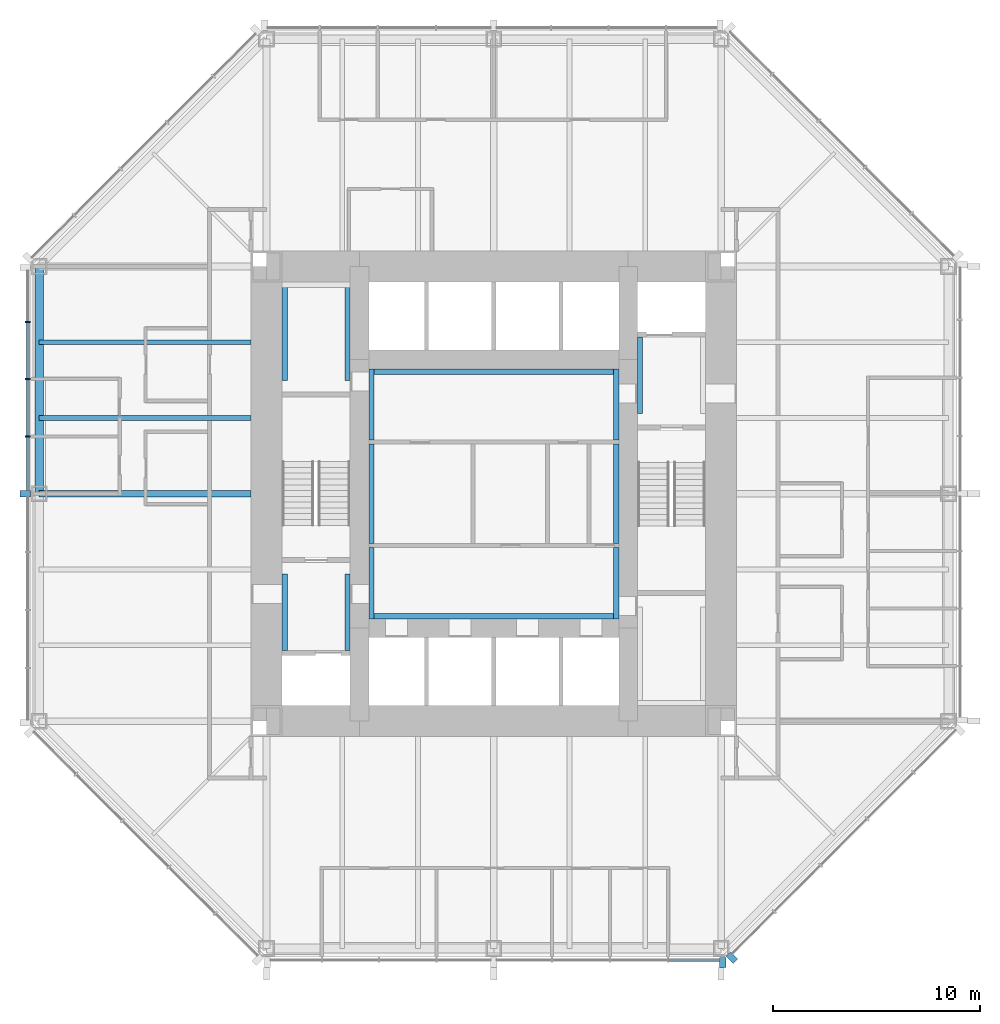
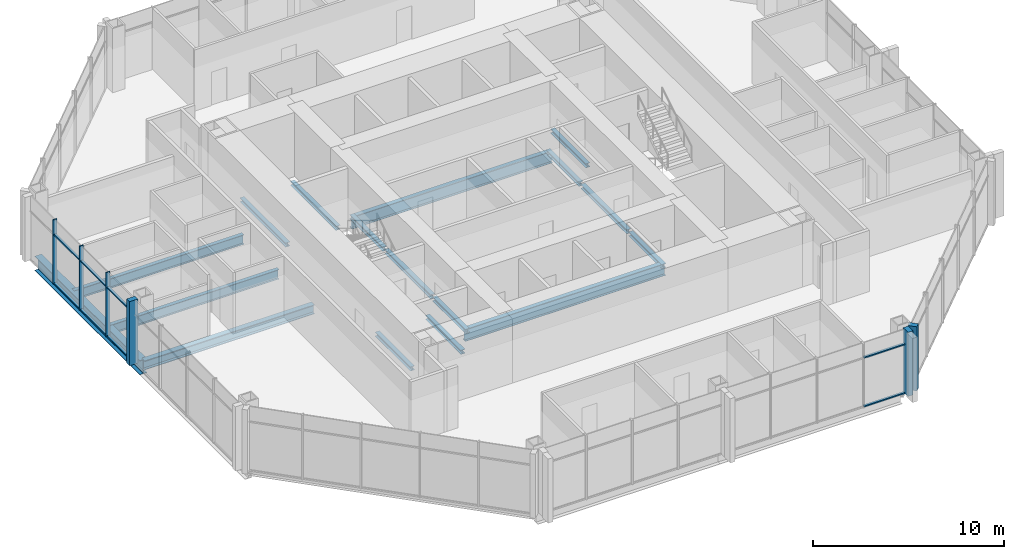
# One storey, part 3 of 12: 17 beams, 14 members, 3 elements without a shape of their own.
"""IFC4 building model written with IfcOpenShell, lengths in metres."""

from ifc_helpers import new_model, si_unit, direction, frame, origin, origin_2d, place, context, subcontext, project, spatial, rectangle, i_section, extrude, material, material_profile, profile_set, type_object, element, aggregate, save


model = new_model("IFC4")

# Units and contexts
model_context = context("Model", 3, precision=1e-05, world=origin(), true_north=direction((0.0, 1.0)))
body_context = subcontext(model_context, "Body", "Model", "MODEL_VIEW")
ifc_project = project(units=[si_unit("LENGTHUNIT", "METRE"), si_unit("AREAUNIT", "SQUARE_METRE"), si_unit("VOLUMEUNIT", "CUBIC_METRE"), si_unit("PLANEANGLEUNIT", "RADIAN"), si_unit("MASSUNIT", "GRAM", prefix="KILO")], contexts=[model_context])

# Site, building, storey
site_placement = place(None, origin())
site = spatial("IfcSite", under=ifc_project, at=site_placement, CompositionType="ELEMENT")
building_placement = place(site_placement, origin())
building = spatial("IfcBuilding", under=site, at=building_placement, Name="Trevanion Tower", CompositionType="ELEMENT")
storey_placement = place(building_placement, frame((0.0, 0.0, 141.800048828125)))
storey = spatial("IfcBuildingStorey", under=building, at=storey_placement, Name="L33", CompositionType="ELEMENT", Elevation=141.800048828125)

# Beams
ifc_material_1 = material(Name="Steel ASTM A992 Grade 50", Category="steel")
ifc_material_profile_1 = material_profile(ifc_material_1, i_section(OverallWidth=0.22900390625, OverallDepth=0.612060546875, WebThickness=0.011962890625, FlangeThickness=0.01953125, at=origin_2d()), Name="W24X84")
ifc_profile_set_1 = profile_set([ifc_material_profile_1], Name="Steel ASTM A992 Grade 50")
beam_type_1 = type_object("IfcBeamType", Name="B7 W24X84", PredefinedType="BEAM", material=ifc_profile_set_1)
for number, where, z_axis, x_axis, name in (
    (1, (-11.75, 7.333251953125, -0.49609375), (-1.0, 0.0, 0.0), (0.0, -1.0, 0.0), "B7 L33"),
    (2, (-11.75, 3.666748046875, -0.49609375), (-1.0, 0.0, 0.0), (0.0, -1.0, 0.0), "B7 L33"),
):
    element("IfcBeam", number, at=place(storey_placement, frame(where, z_axis=z_axis, x_axis=x_axis)), inside=storey, type_object=beam_type_1, Name=name, PredefinedType="BEAM", context=body_context, shape_type="SweptSolid", body=[
        extrude(i_section(OverallWidth=0.22900390625, OverallDepth=0.612060546875, WebThickness=0.011962890625, FlangeThickness=0.01953125, at=origin_2d()), origin(), (0.0, 0.0, 1.0), 10.25),
    ])

# Curtain wall, members
ifc_material_2 = material(Name="Aluminium and glass", Category="aluminium")
curtain_wall_type = type_object("IfcCurtainWallType", Name="CW2 curtain wall", PredefinedType="USERDEFINED", material=ifc_material_2)
curtain_wall_1_placement = place(storey_placement, origin())
curtain_wall_1 = element("IfcCurtainWall", 3, at=curtain_wall_1_placement, inside=storey, type_object=curtain_wall_type, Name="CW2 L33 4", ObjectType="UNITISED CURTAIN WALL", PredefinedType="USERDEFINED")
ifc_material_3 = material(Name="Aluminium extrusion, anodised bronze", Category="aluminium")
ifc_material_profile_2 = material_profile(ifc_material_3, rectangle(XDim=0.074951171875, YDim=0.25, at=origin_2d()), Name="CW2 mullion")
ifc_profile_set_2 = profile_set([ifc_material_profile_2], Name="Aluminium extrusion, anodised bronze")
member_type_1 = type_object("IfcMemberType", Name="CW2 mullion", PredefinedType="MULLION", material=ifc_profile_set_2)
member_1_placement = place(storey_placement, frame((-22.550048828125, 8.323486328125, -0.18994140625), z_axis=(0.0, 0.0, 1.0), x_axis=(0.0, -1.0, 0.0)))
member_1 = element("IfcMember", 4, at=member_1_placement, type_object=member_type_1, Name="CW2 mullion 2", PredefinedType="MULLION", context=body_context, shape_type="SweptSolid", body=[
    extrude(rectangle(XDim=0.074951171875, YDim=0.25, at=origin_2d()), origin(), (0.0, 0.0, 1.0), 4.099853515625),
])
member_2_placement = place(storey_placement, frame((-22.550048828125, 5.548828125, -0.18994140625), z_axis=(0.0, 0.0, 1.0), x_axis=(0.0, -1.0, 0.0)))
member_2 = element("IfcMember", 5, at=member_2_placement, type_object=member_type_1, Name="CW2 mullion 3", PredefinedType="MULLION", context=body_context, shape_type="SweptSolid", body=[
    extrude(rectangle(XDim=0.074951171875, YDim=0.25, at=origin_2d()), origin(), (0.0, 0.0, 1.0), 4.099853515625),
])
member_3_placement = place(storey_placement, frame((-22.550048828125, 2.7744140625, -0.18994140625), z_axis=(0.0, 0.0, 1.0), x_axis=(0.0, -1.0, 0.0)))
member_3 = element("IfcMember", 6, at=member_3_placement, type_object=member_type_1, Name="CW2 mullion 4", PredefinedType="MULLION", context=body_context, shape_type="SweptSolid", body=[
    extrude(rectangle(XDim=0.074951171875, YDim=0.25, at=origin_2d()), origin(), (0.0, 0.0, 1.0), 4.099853515625),
])
ifc_material_4 = material(Name="Aluminium extrusion, anodised bronze", Category="aluminium")
ifc_material_profile_3 = material_profile(ifc_material_4, rectangle(XDim=0.300048828125, YDim=0.5, at=origin_2d()), Name="CW2 pier mullion")
ifc_profile_set_3 = profile_set([ifc_material_profile_3], Name="Aluminium extrusion, anodised bronze")
member_type_2 = type_object("IfcMemberType", Name="CW2 pier mullion", PredefinedType="MULLION", material=ifc_profile_set_3)
member_4_placement = place(storey_placement, frame((-22.675048828125, 0.0, -0.18994140625), z_axis=(0.0, 0.0, 1.0), x_axis=(0.0, -1.0, 0.0)))
member_4 = element("IfcMember", 7, at=member_4_placement, type_object=member_type_2, Name="CW2 pier mullion 5", PredefinedType="MULLION", context=body_context, shape_type="SweptSolid", body=[
    extrude(rectangle(XDim=0.300048828125, YDim=0.5, at=origin_2d()), origin(), (0.0, 0.0, 1.0), 4.099853515625),
])

# Curtain wall, member
curtain_wall_2_placement = place(storey_placement, origin())
curtain_wall_2 = element("IfcCurtainWall", 8, at=curtain_wall_2_placement, inside=storey, type_object=curtain_wall_type, Name="CW2 L33 6", ObjectType="UNITISED CURTAIN WALL", PredefinedType="USERDEFINED")
member_5_placement = place(storey_placement, frame((11.077880859375, -22.675048828125, -0.18994140625), z_axis=(0.0, 0.0, 1.0), x_axis=(1.0, 0.0, 0.0)))
member_5 = element("IfcMember", 9, at=member_5_placement, type_object=member_type_2, Name="CW2 pier mullion 9", PredefinedType="MULLION", context=body_context, shape_type="SweptSolid", body=[
    extrude(rectangle(XDim=0.300048828125, YDim=0.5, at=origin_2d()), origin(), (0.0, 0.0, 1.0), 4.099853515625),
])

curtain_wall_3_placement = place(storey_placement, origin())
curtain_wall_3 = element("IfcCurtainWall", 10, at=curtain_wall_3_placement, inside=storey, type_object=curtain_wall_type, Name="CW2 L33 7", ObjectType="UNITISED CURTAIN WALL", PredefinedType="USERDEFINED")
member_6_placement = place(storey_placement, frame((11.51416015625, -22.4404296875, -0.18994140625), z_axis=(0.0, 0.0, 1.0), x_axis=(0.707106781187, 0.707106781187, 0.0)))
member_6 = element("IfcMember", 11, at=member_6_placement, type_object=member_type_2, Name="CW2 pier mullion 1", PredefinedType="MULLION", context=body_context, shape_type="SweptSolid", body=[
    extrude(rectangle(XDim=0.300048828125, YDim=0.5, at=origin_2d()), origin(), (0.0, 0.0, 1.0), 4.099853515625),
])
aggregate(curtain_wall_3, [member_6])

# Member
ifc_material_5 = material(Name="Aluminium extrusion, anodised bronze", Category="aluminium")
ifc_material_profile_4 = material_profile(ifc_material_5, rectangle(XDim=0.14990234375, YDim=0.074951171875, at=origin_2d()), Name="CW2 transom")
ifc_profile_set_4 = profile_set([ifc_material_profile_4], Name="Aluminium extrusion, anodised bronze")
member_type_3 = type_object("IfcMemberType", Name="CW2 transom", PredefinedType="USERDEFINED", material=ifc_profile_set_4)
member_7_placement = place(storey_placement, frame((-22.550048828125, 8.285888671875, -0.152587890625), z_axis=(0.0, -1.0, 0.0), x_axis=(1.0, 0.0, 0.0)))
member_7 = element("IfcMember", 12, at=member_7_placement, type_object=member_type_3, Name="CW2 transom 2.1", ObjectType="TRANSOM", PredefinedType="USERDEFINED", context=body_context, shape_type="SweptSolid", body=[
    extrude(rectangle(XDim=0.14990234375, YDim=0.074951171875, at=origin_2d()), origin(), (0.0, 0.0, 1.0), 2.699462890625),
])

member_8_placement = place(storey_placement, frame((-22.550048828125, 8.285888671875, 2.9599609375), z_axis=(0.0, -1.0, 0.0), x_axis=(1.0, 0.0, 0.0)))
member_8 = element("IfcMember", 13, at=member_8_placement, type_object=member_type_3, Name="CW2 transom 2.2", ObjectType="TRANSOM", PredefinedType="USERDEFINED", context=body_context, shape_type="SweptSolid", body=[
    extrude(rectangle(XDim=0.14990234375, YDim=0.074951171875, at=origin_2d()), origin(), (0.0, 0.0, 1.0), 2.699462890625),
])

member_9_placement = place(storey_placement, frame((-22.550048828125, 5.511474609375, -0.152587890625), z_axis=(0.0, -1.0, 0.0), x_axis=(1.0, 0.0, 0.0)))
member_9 = element("IfcMember", 14, at=member_9_placement, type_object=member_type_3, Name="CW2 transom 3.1", ObjectType="TRANSOM", PredefinedType="USERDEFINED", context=body_context, shape_type="SweptSolid", body=[
    extrude(rectangle(XDim=0.14990234375, YDim=0.074951171875, at=origin_2d()), origin(), (0.0, 0.0, 1.0), 2.699462890625),
])

member_10_placement = place(storey_placement, frame((-22.550048828125, 5.511474609375, 2.9599609375), z_axis=(0.0, -1.0, 0.0), x_axis=(1.0, 0.0, 0.0)))
member_10 = element("IfcMember", 15, at=member_10_placement, type_object=member_type_3, Name="CW2 transom 3.2", ObjectType="TRANSOM", PredefinedType="USERDEFINED", context=body_context, shape_type="SweptSolid", body=[
    extrude(rectangle(XDim=0.14990234375, YDim=0.074951171875, at=origin_2d()), origin(), (0.0, 0.0, 1.0), 2.699462890625),
])

member_11_placement = place(storey_placement, frame((-22.550048828125, 2.737060546875, -0.152587890625), z_axis=(0.0, -1.0, 0.0), x_axis=(1.0, 0.0, 0.0)))
member_11 = element("IfcMember", 16, at=member_11_placement, type_object=member_type_3, Name="CW2 transom 4.1", ObjectType="TRANSOM", PredefinedType="USERDEFINED", context=body_context, shape_type="SweptSolid", body=[
    extrude(rectangle(XDim=0.14990234375, YDim=0.074951171875, at=origin_2d()), origin(), (0.0, 0.0, 1.0), 2.587158203125),
])

member_12_placement = place(storey_placement, frame((-22.550048828125, 2.737060546875, 2.9599609375), z_axis=(0.0, -1.0, 0.0), x_axis=(1.0, 0.0, 0.0)))
member_12 = element("IfcMember", 17, at=member_12_placement, type_object=member_type_3, Name="CW2 transom 4.2", ObjectType="TRANSOM", PredefinedType="USERDEFINED", context=body_context, shape_type="SweptSolid", body=[
    extrude(rectangle(XDim=0.14990234375, YDim=0.074951171875, at=origin_2d()), origin(), (0.0, 0.0, 1.0), 2.587158203125),
])

aggregate(curtain_wall_1, [member_1, member_2, member_3, member_4, member_7, member_8, member_9, member_10, member_11, member_12])

member_13_placement = place(storey_placement, frame((8.45849609375, -22.550048828125, -0.152587890625), z_axis=(1.0, 0.0, 0.0), x_axis=(0.0, 1.0, 0.0)))
member_13 = element("IfcMember", 18, at=member_13_placement, type_object=member_type_3, Name="CW2 transom 8.1", ObjectType="TRANSOM", PredefinedType="USERDEFINED", context=body_context, shape_type="SweptSolid", body=[
    extrude(rectangle(XDim=0.14990234375, YDim=0.074951171875, at=origin_2d()), origin(), (0.0, 0.0, 1.0), 2.46923828125),
])

member_14_placement = place(storey_placement, frame((8.45849609375, -22.550048828125, 2.9599609375), z_axis=(1.0, 0.0, 0.0), x_axis=(0.0, 1.0, 0.0)))
member_14 = element("IfcMember", 19, at=member_14_placement, type_object=member_type_3, Name="CW2 transom 8.2", ObjectType="TRANSOM", PredefinedType="USERDEFINED", context=body_context, shape_type="SweptSolid", body=[
    extrude(rectangle(XDim=0.14990234375, YDim=0.074951171875, at=origin_2d()), origin(), (0.0, 0.0, 1.0), 2.46923828125),
])

aggregate(curtain_wall_2, [member_5, member_13, member_14])

# Beams
ifc_material_6 = material(Name="Steel ASTM A992 Grade 50", Category="steel")
ifc_material_profile_5 = material_profile(ifc_material_6, i_section(OverallWidth=0.320068359375, OverallDepth=0.584228515625, WebThickness=0.023193359375, FlangeThickness=0.04150390625, at=origin_2d()), Name="W21X201")
ifc_profile_set_5 = profile_set([ifc_material_profile_5], Name="Steel ASTM A992 Grade 50")
beam_type_2 = type_object("IfcBeamType", Name="G4 W21X201", PredefinedType="BEAM", material=ifc_profile_set_5)
beam_1_placement = place(storey_placement, frame((-11.75, 0.0, -0.482177734375), z_axis=(-1.0, 0.0, 0.0), x_axis=(0.0, -1.0, 0.0)))
element("IfcBeam", 20, at=beam_1_placement, inside=storey, type_object=beam_type_2, Name="G4 L33", PredefinedType="BEAM", context=body_context, shape_type="SweptSolid", body=[
    extrude(i_section(OverallWidth=0.320068359375, OverallDepth=0.584228515625, WebThickness=0.023193359375, FlangeThickness=0.04150390625, at=origin_2d()), origin(), (0.0, 0.0, 1.0), 10.25),
])
ifc_material_7 = material(Name="Steel ASTM A992 Grade 50", Category="steel")
ifc_material_profile_6 = material_profile(ifc_material_7, i_section(OverallWidth=0.256591796875, OverallDepth=0.26416015625, WebThickness=0.011962890625, FlangeThickness=0.01953125, at=origin_2d()), Name="W10X68")
ifc_profile_set_6 = profile_set([ifc_material_profile_6], Name="Steel ASTM A992 Grade 50")
beam_type_3 = type_object("IfcBeamType", Name="LB1 W10X68", PredefinedType="BEAM", material=ifc_profile_set_6)
for number, where, z_axis, x_axis, name in (
    (21, (-5.921630859375, 2.60009765625, -0.33203125), (0.0, 1.0, 0.0), (-1.0, 0.0, 0.0), "LB1 L33"),
    (22, (5.921630859375, 2.60009765625, -0.33203125), (0.0, 1.0, 0.0), (-1.0, 0.0, 0.0), "LB1 L33"),
    (23, (-5.921630859375, -6.050048828125, -0.33203125), (0.0, 1.0, 0.0), (-1.0, 0.0, 0.0), "LB1 L33"),
    (24, (5.921630859375, -6.050048828125, -0.33203125), (0.0, 1.0, 0.0), (-1.0, 0.0, 0.0), "LB1 L33"),
):
    element("IfcBeam", number, at=place(storey_placement, frame(where, z_axis=z_axis, x_axis=x_axis)), inside=storey, type_object=beam_type_3, Name=name, PredefinedType="BEAM", context=body_context, shape_type="SweptSolid", body=[
        extrude(i_section(OverallWidth=0.256591796875, OverallDepth=0.26416015625, WebThickness=0.011962890625, FlangeThickness=0.01953125, at=origin_2d()), origin(), (0.0, 0.0, 1.0), 3.449951171875),
    ])
for number, where, z_axis, x_axis, name in (
    (25, (7.078369140625, 3.875, -0.33203125), (0.0, 1.0, 0.0), (-1.0, 0.0, 0.0), "LB1 L33"),
    (26, (-10.12158203125, -7.574951171875, -0.33203125), (0.0, 1.0, 0.0), (-1.0, 0.0, 0.0), "LB1 L33"),
    (27, (-7.078369140625, -7.574951171875, -0.33203125), (0.0, 1.0, 0.0), (-1.0, 0.0, 0.0), "LB1 L33"),
):
    element("IfcBeam", number, at=place(storey_placement, frame(where, z_axis=z_axis, x_axis=x_axis)), inside=storey, type_object=beam_type_3, Name=name, PredefinedType="BEAM", context=body_context, shape_type="SweptSolid", body=[
        extrude(i_section(OverallWidth=0.256591796875, OverallDepth=0.26416015625, WebThickness=0.011962890625, FlangeThickness=0.01953125, at=origin_2d()), origin(), (0.0, 0.0, 1.0), 3.699951171875),
    ])
for number, where, z_axis, x_axis, name in (
    (28, (-10.12158203125, 5.47509765625, -0.33203125), (0.0, 1.0, 0.0), (-1.0, 0.0, 0.0), "LB1 L33"),
    (29, (-7.078369140625, 5.47509765625, -0.33203125), (0.0, 1.0, 0.0), (-1.0, 0.0, 0.0), "LB1 L33"),
):
    element("IfcBeam", number, at=place(storey_placement, frame(where, z_axis=z_axis, x_axis=x_axis)), inside=storey, type_object=beam_type_3, Name=name, PredefinedType="BEAM", context=body_context, shape_type="SweptSolid", body=[
        extrude(i_section(OverallWidth=0.256591796875, OverallDepth=0.26416015625, WebThickness=0.011962890625, FlangeThickness=0.01953125, at=origin_2d()), origin(), (0.0, 0.0, 1.0), 4.77490234375),
    ])
for number, where, z_axis, x_axis, name in (
    (30, (-5.921630859375, -2.39990234375, -0.33203125), (0.0, 1.0, 0.0), (-1.0, 0.0, 0.0), "LB1 L33"),
    (31, (5.921630859375, -2.39990234375, -0.33203125), (0.0, 1.0, 0.0), (-1.0, 0.0, 0.0), "LB1 L33"),
):
    element("IfcBeam", number, at=place(storey_placement, frame(where, z_axis=z_axis, x_axis=x_axis)), inside=storey, type_object=beam_type_3, Name=name, PredefinedType="BEAM", context=body_context, shape_type="SweptSolid", body=[
        extrude(i_section(OverallWidth=0.256591796875, OverallDepth=0.26416015625, WebThickness=0.011962890625, FlangeThickness=0.01953125, at=origin_2d()), origin(), (0.0, 0.0, 1.0), 4.7998046875),
    ])
ifc_material_8 = material(Name="Steel ASTM A992 Grade 50", Category="steel")
ifc_material_profile_7 = material_profile(ifc_material_8, i_section(OverallWidth=0.2666015625, OverallDepth=0.76953125, WebThickness=0.015625, FlangeThickness=0.025390625, at=origin_2d()), Name="W30X132")
ifc_profile_set_7 = profile_set([ifc_material_profile_7], Name="Steel ASTM A992 Grade 50")
beam_type_4 = type_object("IfcBeamType", Name="LB3 W30X132", PredefinedType="BEAM", material=ifc_profile_set_7)
for number, where, z_axis, x_axis, name in (
    (32, (-6.050048828125, 5.91650390625, -0.5849609375), (1.0, 0.0, 0.0), (0.0, 1.0, 0.0), "LB3 L33"),
    (33, (-6.050048828125, -5.91650390625, -0.5849609375), (1.0, 0.0, 0.0), (0.0, 1.0, 0.0), "LB3 L33"),
):
    element("IfcBeam", number, at=place(storey_placement, frame(where, z_axis=z_axis, x_axis=x_axis)), inside=storey, type_object=beam_type_4, Name=name, PredefinedType="BEAM", context=body_context, shape_type="SweptSolid", body=[
        extrude(i_section(OverallWidth=0.2666015625, OverallDepth=0.76953125, WebThickness=0.015625, FlangeThickness=0.025390625, at=origin_2d()), origin(), (0.0, 0.0, 1.0), 12.10009765625),
    ])
ifc_material_9 = material(Name="Steel ASTM A992 Grade 50", Category="steel")
ifc_material_profile_8 = material_profile(ifc_material_9, i_section(OverallWidth=0.419189453125, OverallDepth=0.927001953125, WebThickness=0.019287109375, FlangeThickness=0.031982421875, at=origin_2d()), Name="W36X231")
ifc_profile_set_8 = profile_set([ifc_material_profile_8], Name="Steel ASTM A992 Grade 50")
beam_type_5 = type_object("IfcBeamType", Name="SB4 W36X231", PredefinedType="SPANDREL", material=ifc_profile_set_8)
beam_2_placement = place(storey_placement, frame((-22.0, 11.0, -0.653564453125), z_axis=(0.0, -1.0, 0.0), x_axis=(1.0, 0.0, 0.0)))
element("IfcBeam", 34, at=beam_2_placement, inside=storey, type_object=beam_type_5, Name="SB4 L33", PredefinedType="SPANDREL", context=body_context, shape_type="SweptSolid", body=[
    extrude(i_section(OverallWidth=0.419189453125, OverallDepth=0.927001953125, WebThickness=0.019287109375, FlangeThickness=0.031982421875, at=origin_2d()), origin(), (0.0, 0.0, 1.0), 11.0),
])

save(model, "model.ifc")
